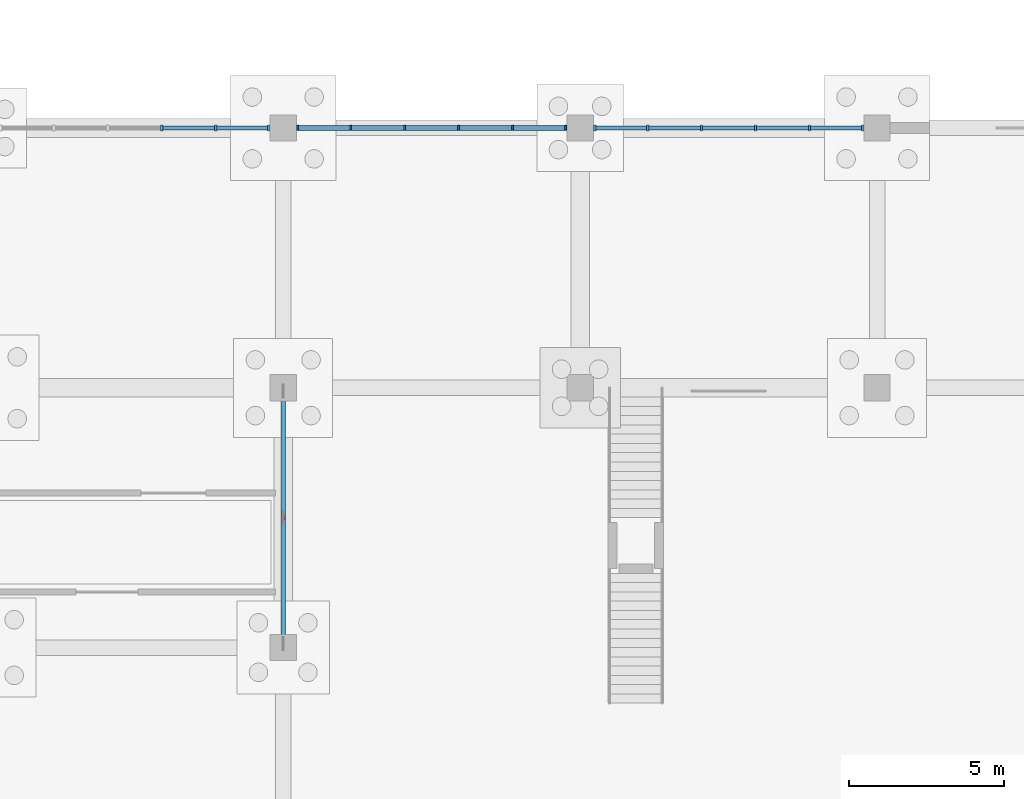
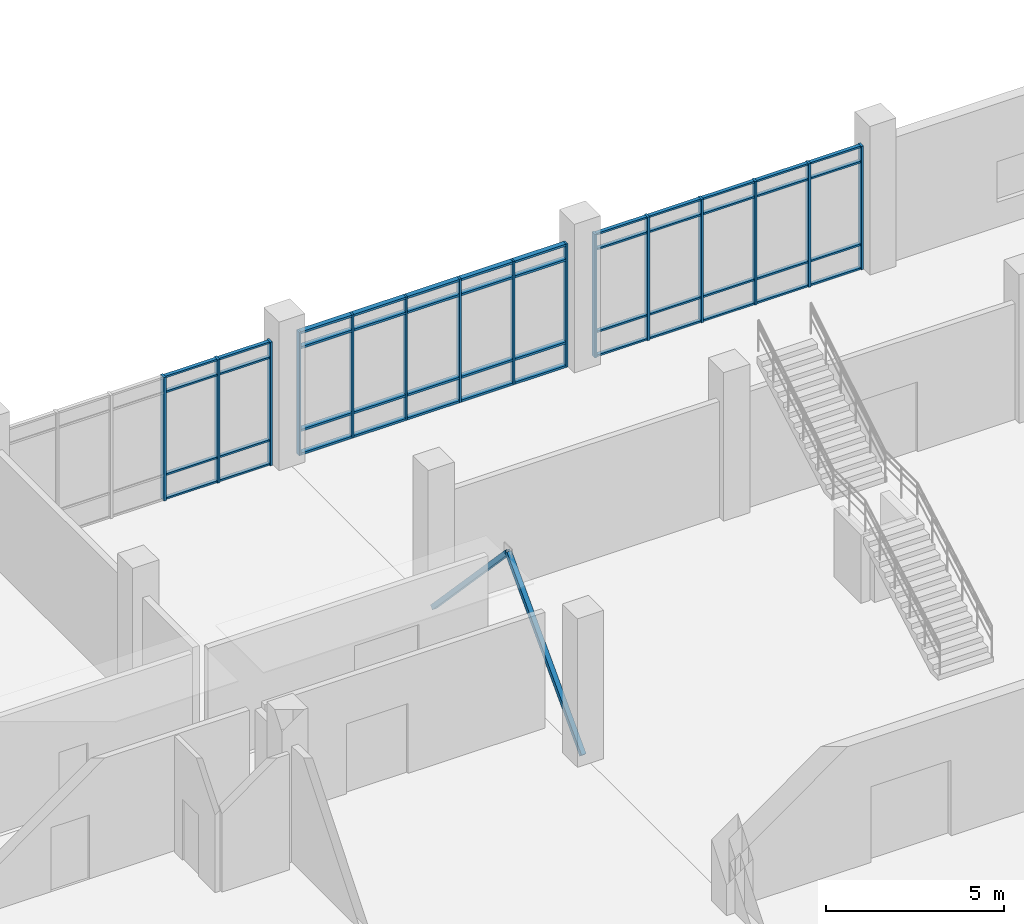
# One storey, part 33 of 136: 65 members, 3 elements without a shape of their own.
"""IFC4 building model written with IfcOpenShell, lengths in metres."""

import ifcopenshell
import ifcopenshell.guid

model = None  # the IFC model being written
_history = None  # IfcOwnerHistory: only IFC2X3 demands one
_inside = {}  # id of a spatial element -> (the spatial element, [elements in it])
_under = {}  # id of a project, library or spatial element -> (it, [spatial elements below it])
_declared = {}  # id of a project -> (the project, [libraries it declares])
_typed = {}  # id of a type object -> (the type object, [elements of that type])
_made_of = {}  # id of a material, layer set ... -> (it, [elements and type objects made of it])


def new_model(schema):
    """Start an empty IFC model of exactly this schema.

    Asked for "IFC4X3", IfcOpenShell would pick the latest addendum, in which some entities
    have other attributes; the version numbers below select the first issue.
    IFC2X3 requires an IfcOwnerHistory on every rooted entity: one is made here for all.
    """
    global model, _history
    if schema == "IFC4X3":
        model = ifcopenshell.file(schema_version=(4, 3, 0, 0))
    else:
        model = ifcopenshell.file(schema=schema)
    _inside.clear()
    _under.clear()
    _declared.clear()
    _typed.clear()
    _made_of.clear()
    _history = None
    if model.schema == "IFC2X3":
        org = make("IfcOrganization", Name="unknown")
        user = make(
            "IfcPersonAndOrganization",
            ThePerson=make("IfcPerson", FamilyName="unknown"),
            TheOrganization=org,
        )
        app = make(
            "IfcApplication",
            ApplicationDeveloper=org,
            Version="unknown",
            ApplicationFullName="unknown",
            ApplicationIdentifier="unknown",
        )
        _history = make(
            "IfcOwnerHistory",
            OwningUser=user,
            OwningApplication=app,
            ChangeAction="ADDED",
            CreationDate=0,
        )
    return model


def make(cls, **values):
    """One entity of the class cls with the attributes given. An attribute that is None is left unset."""
    return model.create_entity(
        cls, **{name: value for name, value in values.items() if value is not None}
    )


def rooted(cls, **values):
    """An entity with a GlobalId (a new one), such as an element, a storey or a relation."""
    return make(cls, GlobalId=ifcopenshell.guid.new(), OwnerHistory=_history, **values)


def si_unit(unit_type, name, prefix=None):
    """IfcSIUnit, for example si_unit("LENGTHUNIT", "METRE", prefix="MILLI")."""
    return make("IfcSIUnit", UnitType=unit_type, Prefix=prefix, Name=name)


def assignment(units):
    """IfcUnitAssignment: the units of a project."""
    return None if units is None else make("IfcUnitAssignment", Units=units)


def point(xyz):
    """IfcCartesianPoint."""
    return None if xyz is None else make("IfcCartesianPoint", Coordinates=xyz)


def direction(xyz):
    """IfcDirection."""
    return None if xyz is None else make("IfcDirection", DirectionRatios=xyz)


def frame(location, z_axis=None, x_axis=None):
    """IfcAxis2Placement3D, a coordinate frame: its origin and axes. An axis left out is left unset."""
    return make(
        "IfcAxis2Placement3D",
        Location=point(location),
        Axis=direction(z_axis),
        RefDirection=direction(x_axis),
    )


def frame_2d(location, x_axis=None):
    """IfcAxis2Placement2D, a coordinate frame in the plane: its origin and x axis."""
    return make(
        "IfcAxis2Placement2D", Location=point(location), RefDirection=direction(x_axis)
    )


def origin():
    """The frame at (0, 0, 0) with its axes left unset."""
    return frame((0.0, 0.0, 0.0))


def origin_2d():
    """The frame at (0, 0) in the plane with its x axis left unset."""
    return frame_2d((0.0, 0.0))


def place(relative_to, where):
    """IfcLocalPlacement: puts the frame where relative to a parent placement (None: the world)."""
    return make(
        "IfcLocalPlacement", PlacementRelTo=relative_to, RelativePlacement=where
    )


def context(
    kind, dimensions, precision=None, world=None, true_north=None, identifier=None
):
    """IfcGeometricRepresentationContext, for example the 3D "Model" context."""
    return make(
        "IfcGeometricRepresentationContext",
        ContextIdentifier=identifier,
        ContextType=kind,
        CoordinateSpaceDimension=dimensions,
        Precision=precision,
        WorldCoordinateSystem=world,
        TrueNorth=true_north,
    )


def subcontext(parent, identifier, kind, view, scale=None):
    """IfcGeometricRepresentationSubContext, for example "Body" below "Model"."""
    return make(
        "IfcGeometricRepresentationSubContext",
        ContextIdentifier=identifier,
        ContextType=kind,
        ParentContext=parent,
        TargetScale=scale,
        TargetView=view,
    )


def project(units=None, contexts=None):
    """IfcProject with its units and contexts."""
    return rooted(
        "IfcProject",
        Name="project",
        RepresentationContexts=contexts,
        UnitsInContext=assignment(units),
    )


def spatial(cls, under=None, at=None, **own):
    """A site, building, storey or space (cls), placed at a placement, below another one or the project."""
    s = rooted(cls, ObjectPlacement=at, **own)
    if under is not None:
        _under.setdefault(under.id(), (under, []))[1].append(s)
    return s


def profile(cls, at=None, kind="AREA", **sizes):
    """A parametric profile (cls). Its sizes go by their IFC names, for example OverallWidth=200.0."""
    return make(cls, ProfileType=kind, Position=at, **sizes)


def rectangle(**sizes):
    """IfcRectangleProfileDef."""
    return profile("IfcRectangleProfileDef", **sizes)


def hollow_rectangle(**sizes):
    """IfcRectangleHollowProfileDef."""
    return profile("IfcRectangleHollowProfileDef", **sizes)


def extrude(swept, where, along, depth):
    """IfcExtrudedAreaSolid: the profile swept, set in the frame where, extruded along a direction by depth."""
    return make(
        "IfcExtrudedAreaSolid",
        SweptArea=swept,
        Position=where,
        ExtrudedDirection=direction(along),
        Depth=depth,
    )


def shape(context_of_items, identifier, shape_type, items):
    """IfcShapeRepresentation: the items that make up one representation, for example the "Body"."""
    return make(
        "IfcShapeRepresentation",
        ContextOfItems=context_of_items,
        RepresentationIdentifier=identifier,
        RepresentationType=shape_type,
        Items=items,
    )


def material(Name=None, Category=None):
    """IfcMaterial."""
    return make("IfcMaterial", Name=Name, Category=Category)


def material_profile(
    of_material, cross_section, Name=None, Category=None, Priority=None
):
    """IfcMaterialProfile: a cross section and its material."""
    return make(
        "IfcMaterialProfile",
        Name=Name,
        Material=of_material,
        Profile=cross_section,
        Priority=Priority,
        Category=Category,
    )


def profile_set(profiles, Name=None, composite=None):
    """IfcMaterialProfileSet."""
    return make(
        "IfcMaterialProfileSet",
        Name=Name,
        MaterialProfiles=profiles,
        CompositeProfile=composite,
    )


def made_of(thing, what):
    """Note that an element or type object is made of a material, layer set ...; save() writes the relation."""
    if what is not None:
        _made_of.setdefault(what.id(), (what, []))[1].append(thing)
    return thing


def type_object(cls, material=None, **own):
    """A type object (cls), such as IfcWallType, which elements share."""
    return made_of(rooted(cls, **own), material)


def element(
    cls,
    number,
    at=None,
    inside=None,
    cuts=None,
    type_object=None,
    material=None,
    context=None,
    identifier="Body",
    shape_type=None,
    held_by="IfcProductDefinitionShape",
    body=None,
    shapes=None,
    **own,
):
    """One element of the class cls, such as IfcWall. Its Tag is "e" and its number.

    at: its placement. inside: the storey or other place that contains it. cuts: it is an
    opening in that element (IfcRelVoidsElement). A single representation is given by context,
    identifier, shape_type and body (its items); several are given by shapes. held_by: the class
    of the entity that holds the representations. save() writes the other relations.
    """
    e = rooted(cls, Tag="e%d" % number, ObjectPlacement=at, **own)
    if body is not None:
        shapes = [shape(context, identifier, shape_type, body)]
    if shapes is not None:
        e.Representation = make(held_by, Representations=shapes)
    if inside is not None:
        _inside.setdefault(inside.id(), (inside, []))[1].append(e)
    if cuts is not None:
        rooted(
            "IfcRelVoidsElement", RelatingBuildingElement=cuts, RelatedOpeningElement=e
        )
    if type_object is not None:
        _typed.setdefault(type_object.id(), (type_object, []))[1].append(e)
    return made_of(e, material)


def aggregate(whole, parts):
    """IfcRelAggregates: a whole, such as a stair, and the parts it consists of."""
    return rooted("IfcRelAggregates", RelatingObject=whole, RelatedObjects=parts)


def save(model, path):
    """Write the relations noted so far, then the file.

    IfcRelAggregates (storeys below a building ...), IfcRelContainedInSpatialStructure (elements
    in a storey), IfcRelDefinesByType, IfcRelAssociatesMaterial and IfcRelDeclares: one each for
    every whole, place, type object, material and project.
    """
    for whole, parts in _under.values():
        aggregate(whole, parts)
    for where, things in _inside.values():
        rooted(
            "IfcRelContainedInSpatialStructure",
            RelatedElements=things,
            RelatingStructure=where,
        )
    for kind, things in _typed.values():
        rooted("IfcRelDefinesByType", RelatedObjects=things, RelatingType=kind)
    for what, things in _made_of.values():
        rooted("IfcRelAssociatesMaterial", RelatedObjects=things, RelatingMaterial=what)
    for by, libraries in _declared.values():
        rooted("IfcRelDeclares", RelatingContext=by, RelatedDefinitions=libraries)
    model.write(path)


model = new_model("IFC4")

# Units and contexts
model_context = context("Model", 3, precision=1e-05, world=origin(), true_north=direction((0.0, 1.0)))
body_context = subcontext(model_context, "Body", "Model", "MODEL_VIEW")
ifc_project = project(units=[si_unit("LENGTHUNIT", "METRE"), si_unit("AREAUNIT", "SQUARE_METRE"), si_unit("VOLUMEUNIT", "CUBIC_METRE"), si_unit("PLANEANGLEUNIT", "RADIAN"), si_unit("MASSUNIT", "GRAM", prefix="KILO")], contexts=[model_context])

# Site, building, storey
site_placement = place(None, origin())
site = spatial("IfcSite", under=ifc_project, at=site_placement, CompositionType="ELEMENT")
building_placement = place(site_placement, origin())
building = spatial("IfcBuilding", under=site, at=building_placement, Name="Oolite Switchyard Hospital", CompositionType="ELEMENT")
storey_placement = place(building_placement, origin())
storey = spatial("IfcBuildingStorey", under=building, at=storey_placement, Name="L00", CompositionType="ELEMENT", Elevation=0.0)

# Curtain wall, members
ifc_material_1 = material(Name="Thermally broken aluminum frame with laminated impact glazing", Category="aluminium")
curtain_wall_type = type_object("IfcCurtainWallType", Name="CW-UNIT-96X51", PredefinedType="USERDEFINED", material=ifc_material_1)
curtain_wall_1_placement = place(storey_placement, origin())
curtain_wall_1 = element("IfcCurtainWall", 1, at=curtain_wall_1_placement, inside=storey, type_object=curtain_wall_type, Name="L00 Unitised Curtain Wall 15", ObjectType="UNITISED", PredefinedType="USERDEFINED")
ifc_material_2 = material(Name="Aluminium 6063-T6", Category="aluminium")
ifc_material_profile_1 = material_profile(ifc_material_2, rectangle(XDim=0.159912109375, YDim=0.06005859375, at=origin_2d()), Name="CWM60X160")
ifc_profile_set_1 = profile_set([ifc_material_profile_1], Name="Aluminium 6063-T6")
member_type_1 = type_object("IfcMemberType", Name="CW-MUL-180", PredefinedType="MULLION", material=ifc_profile_set_1)
member_1_placement = place(storey_placement, frame((67.669921875, 33.60009765625, 0.0), z_axis=(0.0, 0.0, 1.0), x_axis=(0.0, 1.0, 0.0)))
member_1 = element("IfcMember", 2, at=member_1_placement, type_object=member_type_1, Name="CW-01 mullion 1", PredefinedType="MULLION", context=body_context, shape_type="SweptSolid", body=[
    extrude(rectangle(XDim=0.159912109375, YDim=0.06005859375, at=origin_2d()), origin(), (0.0, 0.0, 1.0), 4.239990234375),
])
member_2_placement = place(storey_placement, frame((69.384033203125, 33.60009765625, 0.0), z_axis=(0.0, 0.0, 1.0), x_axis=(0.0, 1.0, 0.0)))
member_2 = element("IfcMember", 3, at=member_2_placement, type_object=member_type_1, Name="CW-01 mullion 2", PredefinedType="MULLION", context=body_context, shape_type="SweptSolid", body=[
    extrude(rectangle(XDim=0.159912109375, YDim=0.06005859375, at=origin_2d()), origin(), (0.0, 0.0, 1.0), 4.239990234375),
])
member_3_placement = place(storey_placement, frame((71.1279296875, 33.60009765625, 0.0), z_axis=(0.0, 0.0, 1.0), x_axis=(0.0, 1.0, 0.0)))
member_3 = element("IfcMember", 4, at=member_3_placement, type_object=member_type_1, Name="CW-01 mullion 3", PredefinedType="MULLION", context=body_context, shape_type="SweptSolid", body=[
    extrude(rectangle(XDim=0.159912109375, YDim=0.06005859375, at=origin_2d()), origin(), (0.0, 0.0, 1.0), 4.239990234375),
])
member_4_placement = place(storey_placement, frame((72.8720703125, 33.60009765625, 0.0), z_axis=(0.0, 0.0, 1.0), x_axis=(0.0, 1.0, 0.0)))
member_4 = element("IfcMember", 5, at=member_4_placement, type_object=member_type_1, Name="CW-01 mullion 4", PredefinedType="MULLION", context=body_context, shape_type="SweptSolid", body=[
    extrude(rectangle(XDim=0.159912109375, YDim=0.06005859375, at=origin_2d()), origin(), (0.0, 0.0, 1.0), 4.239990234375),
])
member_5_placement = place(storey_placement, frame((74.615966796875, 33.60009765625, 0.0), z_axis=(0.0, 0.0, 1.0), x_axis=(0.0, 1.0, 0.0)))
member_5 = element("IfcMember", 6, at=member_5_placement, type_object=member_type_1, Name="CW-01 mullion 5", PredefinedType="MULLION", context=body_context, shape_type="SweptSolid", body=[
    extrude(rectangle(XDim=0.159912109375, YDim=0.06005859375, at=origin_2d()), origin(), (0.0, 0.0, 1.0), 4.239990234375),
])
member_6_placement = place(storey_placement, frame((76.330078125, 33.60009765625, 0.0), z_axis=(0.0, 0.0, 1.0), x_axis=(0.0, 1.0, 0.0)))
member_6 = element("IfcMember", 7, at=member_6_placement, type_object=member_type_1, Name="CW-01 mullion 6", PredefinedType="MULLION", context=body_context, shape_type="SweptSolid", body=[
    extrude(rectangle(XDim=0.159912109375, YDim=0.06005859375, at=origin_2d()), origin(), (0.0, 0.0, 1.0), 4.239990234375),
])

curtain_wall_2_placement = place(storey_placement, origin())
curtain_wall_2 = element("IfcCurtainWall", 8, at=curtain_wall_2_placement, inside=storey, type_object=curtain_wall_type, Name="L00 Unitised Curtain Wall 16", ObjectType="UNITISED", PredefinedType="USERDEFINED")
ifc_material_profile_2 = material_profile(ifc_material_2, rectangle(XDim=0.179931640625, YDim=0.070068359375, at=origin_2d()), Name="CWM70X180")
ifc_profile_set_2 = profile_set([ifc_material_profile_2], Name="Aluminium 6063-T6")
member_type_2 = type_object("IfcMemberType", Name="CW-MUL-220", PredefinedType="MULLION", material=ifc_profile_set_2)
member_7_placement = place(storey_placement, frame((77.27490234375, 33.60009765625, 0.0), z_axis=(0.0, 0.0, 1.0), x_axis=(0.0, 1.0, 0.0)))
member_7 = element("IfcMember", 9, at=member_7_placement, type_object=member_type_2, Name="CW-01 mullion 1", PredefinedType="MULLION", context=body_context, shape_type="SweptSolid", body=[
    extrude(rectangle(XDim=0.179931640625, YDim=0.070068359375, at=origin_2d()), origin(), (0.0, 0.0, 1.0), 4.239990234375),
])
member_8_placement = place(storey_placement, frame((78.98388671875, 33.60009765625, 0.0), z_axis=(0.0, 0.0, 1.0), x_axis=(0.0, 1.0, 0.0)))
member_8 = element("IfcMember", 10, at=member_8_placement, type_object=member_type_2, Name="CW-01 mullion 2", PredefinedType="MULLION", context=body_context, shape_type="SweptSolid", body=[
    extrude(rectangle(XDim=0.179931640625, YDim=0.070068359375, at=origin_2d()), origin(), (0.0, 0.0, 1.0), 4.239990234375),
])
member_9_placement = place(storey_placement, frame((80.72802734375, 33.60009765625, 0.0), z_axis=(0.0, 0.0, 1.0), x_axis=(0.0, 1.0, 0.0)))
member_9 = element("IfcMember", 11, at=member_9_placement, type_object=member_type_2, Name="CW-01 mullion 3", PredefinedType="MULLION", context=body_context, shape_type="SweptSolid", body=[
    extrude(rectangle(XDim=0.179931640625, YDim=0.070068359375, at=origin_2d()), origin(), (0.0, 0.0, 1.0), 4.239990234375),
])
member_10_placement = place(storey_placement, frame((82.471923828125, 33.60009765625, 0.0), z_axis=(0.0, 0.0, 1.0), x_axis=(0.0, 1.0, 0.0)))
member_10 = element("IfcMember", 12, at=member_10_placement, type_object=member_type_2, Name="CW-01 mullion 4", PredefinedType="MULLION", context=body_context, shape_type="SweptSolid", body=[
    extrude(rectangle(XDim=0.179931640625, YDim=0.070068359375, at=origin_2d()), origin(), (0.0, 0.0, 1.0), 4.239990234375),
])
member_11_placement = place(storey_placement, frame((84.216064453125, 33.60009765625, 0.0), z_axis=(0.0, 0.0, 1.0), x_axis=(0.0, 1.0, 0.0)))
member_11 = element("IfcMember", 13, at=member_11_placement, type_object=member_type_2, Name="CW-01 mullion 5", PredefinedType="MULLION", context=body_context, shape_type="SweptSolid", body=[
    extrude(rectangle(XDim=0.179931640625, YDim=0.070068359375, at=origin_2d()), origin(), (0.0, 0.0, 1.0), 4.239990234375),
])
member_12_placement = place(storey_placement, frame((85.925048828125, 33.60009765625, 0.0), z_axis=(0.0, 0.0, 1.0), x_axis=(0.0, 1.0, 0.0)))
member_12 = element("IfcMember", 14, at=member_12_placement, type_object=member_type_2, Name="CW-01 mullion 6", PredefinedType="MULLION", context=body_context, shape_type="SweptSolid", body=[
    extrude(rectangle(XDim=0.179931640625, YDim=0.070068359375, at=origin_2d()), origin(), (0.0, 0.0, 1.0), 4.239990234375),
])

curtain_wall_3_placement = place(storey_placement, origin())
curtain_wall_3 = element("IfcCurtainWall", 15, at=curtain_wall_3_placement, inside=storey, type_object=curtain_wall_type, Name="L00 Unitised Curtain Wall 14", ObjectType="UNITISED", PredefinedType="USERDEFINED")
ifc_material_profile_3 = material_profile(ifc_material_2, rectangle(XDim=0.199951171875, YDim=0.074951171875, at=origin_2d()), Name="CWM75X200")
ifc_profile_set_3 = profile_set([ifc_material_profile_3], Name="Aluminium 6063-T6")
member_type_3 = type_object("IfcMemberType", Name="CW-MUL-260", PredefinedType="MULLION", material=ifc_profile_set_3)
member_13_placement = place(storey_placement, frame((63.27197265625, 33.60009765625, 0.0), z_axis=(0.0, 0.0, 1.0), x_axis=(0.0, 1.0, 0.0)))
member_13 = element("IfcMember", 16, at=member_13_placement, type_object=member_type_3, Name="CW-01 mullion 4", PredefinedType="MULLION", context=body_context, shape_type="SweptSolid", body=[
    extrude(rectangle(XDim=0.199951171875, YDim=0.074951171875, at=origin_2d()), origin(), (0.0, 0.0, 1.0), 4.239990234375),
])
member_14_placement = place(storey_placement, frame((65.01611328125, 33.60009765625, 0.0), z_axis=(0.0, 0.0, 1.0), x_axis=(0.0, 1.0, 0.0)))
member_14 = element("IfcMember", 17, at=member_14_placement, type_object=member_type_3, Name="CW-01 mullion 5", PredefinedType="MULLION", context=body_context, shape_type="SweptSolid", body=[
    extrude(rectangle(XDim=0.199951171875, YDim=0.074951171875, at=origin_2d()), origin(), (0.0, 0.0, 1.0), 4.239990234375),
])
member_15_placement = place(storey_placement, frame((66.722412109375, 33.60009765625, 0.0), z_axis=(0.0, 0.0, 1.0), x_axis=(0.0, 1.0, 0.0)))
member_15 = element("IfcMember", 18, at=member_15_placement, type_object=member_type_3, Name="CW-01 mullion 6", PredefinedType="MULLION", context=body_context, shape_type="SweptSolid", body=[
    extrude(rectangle(XDim=0.199951171875, YDim=0.074951171875, at=origin_2d()), origin(), (0.0, 0.0, 1.0), 4.239990234375),
])
ifc_material_profile_4 = material_profile(ifc_material_2, rectangle(XDim=0.1201171875, YDim=0.06005859375, at=origin_2d()), Name="CWT60X120")
ifc_profile_set_4 = profile_set([ifc_material_profile_4], Name="Aluminium 6063-T6")
member_type_4 = type_object("IfcMemberType", Name="CW-TRN-150", PredefinedType="USERDEFINED", material=ifc_profile_set_4)
member_16_placement = place(storey_placement, frame((63.3095703125, 33.60009765625, 0.030029296875), z_axis=(1.0, 0.0, 0.0), x_axis=(0.0, 1.0, 0.0)))
member_16 = element("IfcMember", 19, at=member_16_placement, type_object=member_type_4, Name="CW-01 transom 4.1", ObjectType="TRANSOM", PredefinedType="USERDEFINED", context=body_context, shape_type="SweptSolid", body=[
    extrude(rectangle(XDim=0.1201171875, YDim=0.06005859375, at=origin_2d()), origin(), (0.0, 0.0, 1.0), 1.6689453125),
])
member_17_placement = place(storey_placement, frame((63.3095703125, 33.60009765625, 0.85009765625), z_axis=(1.0, 0.0, 0.0), x_axis=(0.0, 1.0, 0.0)))
member_17 = element("IfcMember", 20, at=member_17_placement, type_object=member_type_4, Name="CW-01 transom 4.2", ObjectType="TRANSOM", PredefinedType="USERDEFINED", context=body_context, shape_type="SweptSolid", body=[
    extrude(rectangle(XDim=0.1201171875, YDim=0.06005859375, at=origin_2d()), origin(), (0.0, 0.0, 1.0), 1.6689453125),
])
member_18_placement = place(storey_placement, frame((63.3095703125, 33.60009765625, 3.68994140625), z_axis=(1.0, 0.0, 0.0), x_axis=(0.0, 1.0, 0.0)))
member_18 = element("IfcMember", 21, at=member_18_placement, type_object=member_type_4, Name="CW-01 transom 4.3", ObjectType="TRANSOM", PredefinedType="USERDEFINED", context=body_context, shape_type="SweptSolid", body=[
    extrude(rectangle(XDim=0.1201171875, YDim=0.06005859375, at=origin_2d()), origin(), (0.0, 0.0, 1.0), 1.6689453125),
])
member_19_placement = place(storey_placement, frame((63.3095703125, 33.60009765625, 4.2099609375), z_axis=(1.0, 0.0, 0.0), x_axis=(0.0, 1.0, 0.0)))
member_19 = element("IfcMember", 22, at=member_19_placement, type_object=member_type_4, Name="CW-01 transom 4.4", ObjectType="TRANSOM", PredefinedType="USERDEFINED", context=body_context, shape_type="SweptSolid", body=[
    extrude(rectangle(XDim=0.1201171875, YDim=0.06005859375, at=origin_2d()), origin(), (0.0, 0.0, 1.0), 1.6689453125),
])
member_20_placement = place(storey_placement, frame((65.053466796875, 33.60009765625, 0.030029296875), z_axis=(1.0, 0.0, 0.0), x_axis=(0.0, 1.0, 0.0)))
member_20 = element("IfcMember", 23, at=member_20_placement, type_object=member_type_4, Name="CW-01 transom 5.1", ObjectType="TRANSOM", PredefinedType="USERDEFINED", context=body_context, shape_type="SweptSolid", body=[
    extrude(rectangle(XDim=0.1201171875, YDim=0.06005859375, at=origin_2d()), origin(), (0.0, 0.0, 1.0), 1.631591796875),
])
member_21_placement = place(storey_placement, frame((65.053466796875, 33.60009765625, 0.85009765625), z_axis=(1.0, 0.0, 0.0), x_axis=(0.0, 1.0, 0.0)))
member_21 = element("IfcMember", 24, at=member_21_placement, type_object=member_type_4, Name="CW-01 transom 5.2", ObjectType="TRANSOM", PredefinedType="USERDEFINED", context=body_context, shape_type="SweptSolid", body=[
    extrude(rectangle(XDim=0.1201171875, YDim=0.06005859375, at=origin_2d()), origin(), (0.0, 0.0, 1.0), 1.631591796875),
])
member_22_placement = place(storey_placement, frame((65.053466796875, 33.60009765625, 3.68994140625), z_axis=(1.0, 0.0, 0.0), x_axis=(0.0, 1.0, 0.0)))
member_22 = element("IfcMember", 25, at=member_22_placement, type_object=member_type_4, Name="CW-01 transom 5.3", ObjectType="TRANSOM", PredefinedType="USERDEFINED", context=body_context, shape_type="SweptSolid", body=[
    extrude(rectangle(XDim=0.1201171875, YDim=0.06005859375, at=origin_2d()), origin(), (0.0, 0.0, 1.0), 1.631591796875),
])
member_23_placement = place(storey_placement, frame((65.053466796875, 33.60009765625, 4.2099609375), z_axis=(1.0, 0.0, 0.0), x_axis=(0.0, 1.0, 0.0)))
member_23 = element("IfcMember", 26, at=member_23_placement, type_object=member_type_4, Name="CW-01 transom 5.4", ObjectType="TRANSOM", PredefinedType="USERDEFINED", context=body_context, shape_type="SweptSolid", body=[
    extrude(rectangle(XDim=0.1201171875, YDim=0.06005859375, at=origin_2d()), origin(), (0.0, 0.0, 1.0), 1.631591796875),
])
aggregate(curtain_wall_3, [member_13, member_14, member_15, member_16, member_17, member_18, member_19, member_20, member_21, member_22, member_23])

# Member
member_24_placement = place(storey_placement, frame((77.31005859375, 33.60009765625, 0.030029296875), z_axis=(1.0, 0.0, 0.0), x_axis=(0.0, 1.0, 0.0)))
member_24 = element("IfcMember", 27, at=member_24_placement, type_object=member_type_4, Name="CW-01 transom 1.1", ObjectType="TRANSOM", PredefinedType="USERDEFINED", context=body_context, shape_type="SweptSolid", body=[
    extrude(rectangle(XDim=0.1201171875, YDim=0.06005859375, at=origin_2d()), origin(), (0.0, 0.0, 1.0), 1.638916015625),
])

member_25_placement = place(storey_placement, frame((77.31005859375, 33.60009765625, 0.85009765625), z_axis=(1.0, 0.0, 0.0), x_axis=(0.0, 1.0, 0.0)))
member_25 = element("IfcMember", 28, at=member_25_placement, type_object=member_type_4, Name="CW-01 transom 1.2", ObjectType="TRANSOM", PredefinedType="USERDEFINED", context=body_context, shape_type="SweptSolid", body=[
    extrude(rectangle(XDim=0.1201171875, YDim=0.06005859375, at=origin_2d()), origin(), (0.0, 0.0, 1.0), 1.638916015625),
])

member_26_placement = place(storey_placement, frame((77.31005859375, 33.60009765625, 3.68994140625), z_axis=(1.0, 0.0, 0.0), x_axis=(0.0, 1.0, 0.0)))
member_26 = element("IfcMember", 29, at=member_26_placement, type_object=member_type_4, Name="CW-01 transom 1.3", ObjectType="TRANSOM", PredefinedType="USERDEFINED", context=body_context, shape_type="SweptSolid", body=[
    extrude(rectangle(XDim=0.1201171875, YDim=0.06005859375, at=origin_2d()), origin(), (0.0, 0.0, 1.0), 1.638916015625),
])

member_27_placement = place(storey_placement, frame((77.31005859375, 33.60009765625, 4.2099609375), z_axis=(1.0, 0.0, 0.0), x_axis=(0.0, 1.0, 0.0)))
member_27 = element("IfcMember", 30, at=member_27_placement, type_object=member_type_4, Name="CW-01 transom 1.4", ObjectType="TRANSOM", PredefinedType="USERDEFINED", context=body_context, shape_type="SweptSolid", body=[
    extrude(rectangle(XDim=0.1201171875, YDim=0.06005859375, at=origin_2d()), origin(), (0.0, 0.0, 1.0), 1.638916015625),
])

member_28_placement = place(storey_placement, frame((79.01904296875, 33.60009765625, 0.030029296875), z_axis=(1.0, 0.0, 0.0), x_axis=(0.0, 1.0, 0.0)))
member_28 = element("IfcMember", 31, at=member_28_placement, type_object=member_type_4, Name="CW-01 transom 2.1", ObjectType="TRANSOM", PredefinedType="USERDEFINED", context=body_context, shape_type="SweptSolid", body=[
    extrude(rectangle(XDim=0.1201171875, YDim=0.06005859375, at=origin_2d()), origin(), (0.0, 0.0, 1.0), 1.674072265625),
])

member_29_placement = place(storey_placement, frame((79.01904296875, 33.60009765625, 0.85009765625), z_axis=(1.0, 0.0, 0.0), x_axis=(0.0, 1.0, 0.0)))
member_29 = element("IfcMember", 32, at=member_29_placement, type_object=member_type_4, Name="CW-01 transom 2.2", ObjectType="TRANSOM", PredefinedType="USERDEFINED", context=body_context, shape_type="SweptSolid", body=[
    extrude(rectangle(XDim=0.1201171875, YDim=0.06005859375, at=origin_2d()), origin(), (0.0, 0.0, 1.0), 1.674072265625),
])

member_30_placement = place(storey_placement, frame((79.01904296875, 33.60009765625, 3.68994140625), z_axis=(1.0, 0.0, 0.0), x_axis=(0.0, 1.0, 0.0)))
member_30 = element("IfcMember", 33, at=member_30_placement, type_object=member_type_4, Name="CW-01 transom 2.3", ObjectType="TRANSOM", PredefinedType="USERDEFINED", context=body_context, shape_type="SweptSolid", body=[
    extrude(rectangle(XDim=0.1201171875, YDim=0.06005859375, at=origin_2d()), origin(), (0.0, 0.0, 1.0), 1.674072265625),
])

member_31_placement = place(storey_placement, frame((79.01904296875, 33.60009765625, 4.2099609375), z_axis=(1.0, 0.0, 0.0), x_axis=(0.0, 1.0, 0.0)))
member_31 = element("IfcMember", 34, at=member_31_placement, type_object=member_type_4, Name="CW-01 transom 2.4", ObjectType="TRANSOM", PredefinedType="USERDEFINED", context=body_context, shape_type="SweptSolid", body=[
    extrude(rectangle(XDim=0.1201171875, YDim=0.06005859375, at=origin_2d()), origin(), (0.0, 0.0, 1.0), 1.674072265625),
])

member_32_placement = place(storey_placement, frame((80.762939453125, 33.60009765625, 0.030029296875), z_axis=(1.0, 0.0, 0.0), x_axis=(0.0, 1.0, 0.0)))
member_32 = element("IfcMember", 35, at=member_32_placement, type_object=member_type_4, Name="CW-01 transom 3.1", ObjectType="TRANSOM", PredefinedType="USERDEFINED", context=body_context, shape_type="SweptSolid", body=[
    extrude(rectangle(XDim=0.1201171875, YDim=0.06005859375, at=origin_2d()), origin(), (0.0, 0.0, 1.0), 1.674072265625),
])

member_33_placement = place(storey_placement, frame((80.762939453125, 33.60009765625, 0.85009765625), z_axis=(1.0, 0.0, 0.0), x_axis=(0.0, 1.0, 0.0)))
member_33 = element("IfcMember", 36, at=member_33_placement, type_object=member_type_4, Name="CW-01 transom 3.2", ObjectType="TRANSOM", PredefinedType="USERDEFINED", context=body_context, shape_type="SweptSolid", body=[
    extrude(rectangle(XDim=0.1201171875, YDim=0.06005859375, at=origin_2d()), origin(), (0.0, 0.0, 1.0), 1.674072265625),
])

member_34_placement = place(storey_placement, frame((80.762939453125, 33.60009765625, 3.68994140625), z_axis=(1.0, 0.0, 0.0), x_axis=(0.0, 1.0, 0.0)))
member_34 = element("IfcMember", 37, at=member_34_placement, type_object=member_type_4, Name="CW-01 transom 3.3", ObjectType="TRANSOM", PredefinedType="USERDEFINED", context=body_context, shape_type="SweptSolid", body=[
    extrude(rectangle(XDim=0.1201171875, YDim=0.06005859375, at=origin_2d()), origin(), (0.0, 0.0, 1.0), 1.674072265625),
])

member_35_placement = place(storey_placement, frame((80.762939453125, 33.60009765625, 4.2099609375), z_axis=(1.0, 0.0, 0.0), x_axis=(0.0, 1.0, 0.0)))
member_35 = element("IfcMember", 38, at=member_35_placement, type_object=member_type_4, Name="CW-01 transom 3.4", ObjectType="TRANSOM", PredefinedType="USERDEFINED", context=body_context, shape_type="SweptSolid", body=[
    extrude(rectangle(XDim=0.1201171875, YDim=0.06005859375, at=origin_2d()), origin(), (0.0, 0.0, 1.0), 1.674072265625),
])

member_36_placement = place(storey_placement, frame((82.507080078125, 33.60009765625, 0.030029296875), z_axis=(1.0, 0.0, 0.0), x_axis=(0.0, 1.0, 0.0)))
member_36 = element("IfcMember", 39, at=member_36_placement, type_object=member_type_4, Name="CW-01 transom 4.1", ObjectType="TRANSOM", PredefinedType="USERDEFINED", context=body_context, shape_type="SweptSolid", body=[
    extrude(rectangle(XDim=0.1201171875, YDim=0.06005859375, at=origin_2d()), origin(), (0.0, 0.0, 1.0), 1.673828125),
])

member_37_placement = place(storey_placement, frame((82.507080078125, 33.60009765625, 0.85009765625), z_axis=(1.0, 0.0, 0.0), x_axis=(0.0, 1.0, 0.0)))
member_37 = element("IfcMember", 40, at=member_37_placement, type_object=member_type_4, Name="CW-01 transom 4.2", ObjectType="TRANSOM", PredefinedType="USERDEFINED", context=body_context, shape_type="SweptSolid", body=[
    extrude(rectangle(XDim=0.1201171875, YDim=0.06005859375, at=origin_2d()), origin(), (0.0, 0.0, 1.0), 1.673828125),
])

member_38_placement = place(storey_placement, frame((82.507080078125, 33.60009765625, 3.68994140625), z_axis=(1.0, 0.0, 0.0), x_axis=(0.0, 1.0, 0.0)))
member_38 = element("IfcMember", 41, at=member_38_placement, type_object=member_type_4, Name="CW-01 transom 4.3", ObjectType="TRANSOM", PredefinedType="USERDEFINED", context=body_context, shape_type="SweptSolid", body=[
    extrude(rectangle(XDim=0.1201171875, YDim=0.06005859375, at=origin_2d()), origin(), (0.0, 0.0, 1.0), 1.673828125),
])

member_39_placement = place(storey_placement, frame((82.507080078125, 33.60009765625, 4.2099609375), z_axis=(1.0, 0.0, 0.0), x_axis=(0.0, 1.0, 0.0)))
member_39 = element("IfcMember", 42, at=member_39_placement, type_object=member_type_4, Name="CW-01 transom 4.4", ObjectType="TRANSOM", PredefinedType="USERDEFINED", context=body_context, shape_type="SweptSolid", body=[
    extrude(rectangle(XDim=0.1201171875, YDim=0.06005859375, at=origin_2d()), origin(), (0.0, 0.0, 1.0), 1.673828125),
])

member_40_placement = place(storey_placement, frame((84.2509765625, 33.60009765625, 0.030029296875), z_axis=(1.0, 0.0, 0.0), x_axis=(0.0, 1.0, 0.0)))
member_40 = element("IfcMember", 43, at=member_40_placement, type_object=member_type_4, Name="CW-01 transom 5.1", ObjectType="TRANSOM", PredefinedType="USERDEFINED", context=body_context, shape_type="SweptSolid", body=[
    extrude(rectangle(XDim=0.1201171875, YDim=0.06005859375, at=origin_2d()), origin(), (0.0, 0.0, 1.0), 1.638916015625),
])

member_41_placement = place(storey_placement, frame((84.2509765625, 33.60009765625, 0.85009765625), z_axis=(1.0, 0.0, 0.0), x_axis=(0.0, 1.0, 0.0)))
member_41 = element("IfcMember", 44, at=member_41_placement, type_object=member_type_4, Name="CW-01 transom 5.2", ObjectType="TRANSOM", PredefinedType="USERDEFINED", context=body_context, shape_type="SweptSolid", body=[
    extrude(rectangle(XDim=0.1201171875, YDim=0.06005859375, at=origin_2d()), origin(), (0.0, 0.0, 1.0), 1.638916015625),
])

member_42_placement = place(storey_placement, frame((84.2509765625, 33.60009765625, 3.68994140625), z_axis=(1.0, 0.0, 0.0), x_axis=(0.0, 1.0, 0.0)))
member_42 = element("IfcMember", 45, at=member_42_placement, type_object=member_type_4, Name="CW-01 transom 5.3", ObjectType="TRANSOM", PredefinedType="USERDEFINED", context=body_context, shape_type="SweptSolid", body=[
    extrude(rectangle(XDim=0.1201171875, YDim=0.06005859375, at=origin_2d()), origin(), (0.0, 0.0, 1.0), 1.638916015625),
])

member_43_placement = place(storey_placement, frame((84.2509765625, 33.60009765625, 4.2099609375), z_axis=(1.0, 0.0, 0.0), x_axis=(0.0, 1.0, 0.0)))
member_43 = element("IfcMember", 46, at=member_43_placement, type_object=member_type_4, Name="CW-01 transom 5.4", ObjectType="TRANSOM", PredefinedType="USERDEFINED", context=body_context, shape_type="SweptSolid", body=[
    extrude(rectangle(XDim=0.1201171875, YDim=0.06005859375, at=origin_2d()), origin(), (0.0, 0.0, 1.0), 1.638916015625),
])

aggregate(curtain_wall_2, [member_7, member_8, member_9, member_10, member_11, member_12, member_24, member_25, member_26, member_27, member_28, member_29, member_30, member_31, member_32, member_33, member_34, member_35, member_36, member_37, member_38, member_39, member_40, member_41, member_42, member_43])

ifc_material_profile_5 = material_profile(ifc_material_2, rectangle(XDim=0.159912109375, YDim=0.074951171875, at=origin_2d()), Name="CWT75X160")
ifc_profile_set_5 = profile_set([ifc_material_profile_5], Name="Aluminium 6063-T6")
member_type_5 = type_object("IfcMemberType", Name="CW-TRN-180", PredefinedType="USERDEFINED", material=ifc_profile_set_5)
member_44_placement = place(storey_placement, frame((67.699951171875, 33.60009765625, 0.03759765625), z_axis=(1.0, 0.0, 0.0), x_axis=(0.0, 1.0, 0.0)))
member_44 = element("IfcMember", 47, at=member_44_placement, type_object=member_type_5, Name="CW-01 transom 1.1", ObjectType="TRANSOM", PredefinedType="USERDEFINED", context=body_context, shape_type="SweptSolid", body=[
    extrude(rectangle(XDim=0.159912109375, YDim=0.074951171875, at=origin_2d()), origin(), (0.0, 0.0, 1.0), 1.654052734375),
])

member_45_placement = place(storey_placement, frame((67.699951171875, 33.60009765625, 0.85009765625), z_axis=(1.0, 0.0, 0.0), x_axis=(0.0, 1.0, 0.0)))
member_45 = element("IfcMember", 48, at=member_45_placement, type_object=member_type_5, Name="CW-01 transom 1.2", ObjectType="TRANSOM", PredefinedType="USERDEFINED", context=body_context, shape_type="SweptSolid", body=[
    extrude(rectangle(XDim=0.159912109375, YDim=0.074951171875, at=origin_2d()), origin(), (0.0, 0.0, 1.0), 1.654052734375),
])

member_46_placement = place(storey_placement, frame((67.699951171875, 33.60009765625, 3.68994140625), z_axis=(1.0, 0.0, 0.0), x_axis=(0.0, 1.0, 0.0)))
member_46 = element("IfcMember", 49, at=member_46_placement, type_object=member_type_5, Name="CW-01 transom 1.3", ObjectType="TRANSOM", PredefinedType="USERDEFINED", context=body_context, shape_type="SweptSolid", body=[
    extrude(rectangle(XDim=0.159912109375, YDim=0.074951171875, at=origin_2d()), origin(), (0.0, 0.0, 1.0), 1.654052734375),
])

member_47_placement = place(storey_placement, frame((67.699951171875, 33.60009765625, 4.202392578125), z_axis=(1.0, 0.0, 0.0), x_axis=(0.0, 1.0, 0.0)))
member_47 = element("IfcMember", 50, at=member_47_placement, type_object=member_type_5, Name="CW-01 transom 1.4", ObjectType="TRANSOM", PredefinedType="USERDEFINED", context=body_context, shape_type="SweptSolid", body=[
    extrude(rectangle(XDim=0.159912109375, YDim=0.074951171875, at=origin_2d()), origin(), (0.0, 0.0, 1.0), 1.654052734375),
])

member_48_placement = place(storey_placement, frame((69.4140625, 33.60009765625, 0.03759765625), z_axis=(1.0, 0.0, 0.0), x_axis=(0.0, 1.0, 0.0)))
member_48 = element("IfcMember", 51, at=member_48_placement, type_object=member_type_5, Name="CW-01 transom 2.1", ObjectType="TRANSOM", PredefinedType="USERDEFINED", context=body_context, shape_type="SweptSolid", body=[
    extrude(rectangle(XDim=0.159912109375, YDim=0.074951171875, at=origin_2d()), origin(), (0.0, 0.0, 1.0), 1.683837890625),
])

member_49_placement = place(storey_placement, frame((69.4140625, 33.60009765625, 0.85009765625), z_axis=(1.0, 0.0, 0.0), x_axis=(0.0, 1.0, 0.0)))
member_49 = element("IfcMember", 52, at=member_49_placement, type_object=member_type_5, Name="CW-01 transom 2.2", ObjectType="TRANSOM", PredefinedType="USERDEFINED", context=body_context, shape_type="SweptSolid", body=[
    extrude(rectangle(XDim=0.159912109375, YDim=0.074951171875, at=origin_2d()), origin(), (0.0, 0.0, 1.0), 1.683837890625),
])

member_50_placement = place(storey_placement, frame((69.4140625, 33.60009765625, 3.68994140625), z_axis=(1.0, 0.0, 0.0), x_axis=(0.0, 1.0, 0.0)))
member_50 = element("IfcMember", 53, at=member_50_placement, type_object=member_type_5, Name="CW-01 transom 2.3", ObjectType="TRANSOM", PredefinedType="USERDEFINED", context=body_context, shape_type="SweptSolid", body=[
    extrude(rectangle(XDim=0.159912109375, YDim=0.074951171875, at=origin_2d()), origin(), (0.0, 0.0, 1.0), 1.683837890625),
])

member_51_placement = place(storey_placement, frame((69.4140625, 33.60009765625, 4.202392578125), z_axis=(1.0, 0.0, 0.0), x_axis=(0.0, 1.0, 0.0)))
member_51 = element("IfcMember", 54, at=member_51_placement, type_object=member_type_5, Name="CW-01 transom 2.4", ObjectType="TRANSOM", PredefinedType="USERDEFINED", context=body_context, shape_type="SweptSolid", body=[
    extrude(rectangle(XDim=0.159912109375, YDim=0.074951171875, at=origin_2d()), origin(), (0.0, 0.0, 1.0), 1.683837890625),
])

member_52_placement = place(storey_placement, frame((71.157958984375, 33.60009765625, 0.03759765625), z_axis=(1.0, 0.0, 0.0), x_axis=(0.0, 1.0, 0.0)))
member_52 = element("IfcMember", 55, at=member_52_placement, type_object=member_type_5, Name="CW-01 transom 3.1", ObjectType="TRANSOM", PredefinedType="USERDEFINED", context=body_context, shape_type="SweptSolid", body=[
    extrude(rectangle(XDim=0.159912109375, YDim=0.074951171875, at=origin_2d()), origin(), (0.0, 0.0, 1.0), 1.68408203125),
])

member_53_placement = place(storey_placement, frame((71.157958984375, 33.60009765625, 0.85009765625), z_axis=(1.0, 0.0, 0.0), x_axis=(0.0, 1.0, 0.0)))
member_53 = element("IfcMember", 56, at=member_53_placement, type_object=member_type_5, Name="CW-01 transom 3.2", ObjectType="TRANSOM", PredefinedType="USERDEFINED", context=body_context, shape_type="SweptSolid", body=[
    extrude(rectangle(XDim=0.159912109375, YDim=0.074951171875, at=origin_2d()), origin(), (0.0, 0.0, 1.0), 1.68408203125),
])

member_54_placement = place(storey_placement, frame((71.157958984375, 33.60009765625, 3.68994140625), z_axis=(1.0, 0.0, 0.0), x_axis=(0.0, 1.0, 0.0)))
member_54 = element("IfcMember", 57, at=member_54_placement, type_object=member_type_5, Name="CW-01 transom 3.3", ObjectType="TRANSOM", PredefinedType="USERDEFINED", context=body_context, shape_type="SweptSolid", body=[
    extrude(rectangle(XDim=0.159912109375, YDim=0.074951171875, at=origin_2d()), origin(), (0.0, 0.0, 1.0), 1.68408203125),
])

member_55_placement = place(storey_placement, frame((71.157958984375, 33.60009765625, 4.202392578125), z_axis=(1.0, 0.0, 0.0), x_axis=(0.0, 1.0, 0.0)))
member_55 = element("IfcMember", 58, at=member_55_placement, type_object=member_type_5, Name="CW-01 transom 3.4", ObjectType="TRANSOM", PredefinedType="USERDEFINED", context=body_context, shape_type="SweptSolid", body=[
    extrude(rectangle(XDim=0.159912109375, YDim=0.074951171875, at=origin_2d()), origin(), (0.0, 0.0, 1.0), 1.68408203125),
])

member_56_placement = place(storey_placement, frame((72.902099609375, 33.60009765625, 0.03759765625), z_axis=(1.0, 0.0, 0.0), x_axis=(0.0, 1.0, 0.0)))
member_56 = element("IfcMember", 59, at=member_56_placement, type_object=member_type_5, Name="CW-01 transom 4.1", ObjectType="TRANSOM", PredefinedType="USERDEFINED", context=body_context, shape_type="SweptSolid", body=[
    extrude(rectangle(XDim=0.159912109375, YDim=0.074951171875, at=origin_2d()), origin(), (0.0, 0.0, 1.0), 1.683837890625),
])

member_57_placement = place(storey_placement, frame((72.902099609375, 33.60009765625, 0.85009765625), z_axis=(1.0, 0.0, 0.0), x_axis=(0.0, 1.0, 0.0)))
member_57 = element("IfcMember", 60, at=member_57_placement, type_object=member_type_5, Name="CW-01 transom 4.2", ObjectType="TRANSOM", PredefinedType="USERDEFINED", context=body_context, shape_type="SweptSolid", body=[
    extrude(rectangle(XDim=0.159912109375, YDim=0.074951171875, at=origin_2d()), origin(), (0.0, 0.0, 1.0), 1.683837890625),
])

member_58_placement = place(storey_placement, frame((72.902099609375, 33.60009765625, 3.68994140625), z_axis=(1.0, 0.0, 0.0), x_axis=(0.0, 1.0, 0.0)))
member_58 = element("IfcMember", 61, at=member_58_placement, type_object=member_type_5, Name="CW-01 transom 4.3", ObjectType="TRANSOM", PredefinedType="USERDEFINED", context=body_context, shape_type="SweptSolid", body=[
    extrude(rectangle(XDim=0.159912109375, YDim=0.074951171875, at=origin_2d()), origin(), (0.0, 0.0, 1.0), 1.683837890625),
])

member_59_placement = place(storey_placement, frame((72.902099609375, 33.60009765625, 4.202392578125), z_axis=(1.0, 0.0, 0.0), x_axis=(0.0, 1.0, 0.0)))
member_59 = element("IfcMember", 62, at=member_59_placement, type_object=member_type_5, Name="CW-01 transom 4.4", ObjectType="TRANSOM", PredefinedType="USERDEFINED", context=body_context, shape_type="SweptSolid", body=[
    extrude(rectangle(XDim=0.159912109375, YDim=0.074951171875, at=origin_2d()), origin(), (0.0, 0.0, 1.0), 1.683837890625),
])

member_60_placement = place(storey_placement, frame((74.64599609375, 33.60009765625, 0.03759765625), z_axis=(1.0, 0.0, 0.0), x_axis=(0.0, 1.0, 0.0)))
member_60 = element("IfcMember", 63, at=member_60_placement, type_object=member_type_5, Name="CW-01 transom 5.1", ObjectType="TRANSOM", PredefinedType="USERDEFINED", context=body_context, shape_type="SweptSolid", body=[
    extrude(rectangle(XDim=0.159912109375, YDim=0.074951171875, at=origin_2d()), origin(), (0.0, 0.0, 1.0), 1.654052734375),
])

member_61_placement = place(storey_placement, frame((74.64599609375, 33.60009765625, 0.85009765625), z_axis=(1.0, 0.0, 0.0), x_axis=(0.0, 1.0, 0.0)))
member_61 = element("IfcMember", 64, at=member_61_placement, type_object=member_type_5, Name="CW-01 transom 5.2", ObjectType="TRANSOM", PredefinedType="USERDEFINED", context=body_context, shape_type="SweptSolid", body=[
    extrude(rectangle(XDim=0.159912109375, YDim=0.074951171875, at=origin_2d()), origin(), (0.0, 0.0, 1.0), 1.654052734375),
])

member_62_placement = place(storey_placement, frame((74.64599609375, 33.60009765625, 3.68994140625), z_axis=(1.0, 0.0, 0.0), x_axis=(0.0, 1.0, 0.0)))
member_62 = element("IfcMember", 65, at=member_62_placement, type_object=member_type_5, Name="CW-01 transom 5.3", ObjectType="TRANSOM", PredefinedType="USERDEFINED", context=body_context, shape_type="SweptSolid", body=[
    extrude(rectangle(XDim=0.159912109375, YDim=0.074951171875, at=origin_2d()), origin(), (0.0, 0.0, 1.0), 1.654052734375),
])

member_63_placement = place(storey_placement, frame((74.64599609375, 33.60009765625, 4.202392578125), z_axis=(1.0, 0.0, 0.0), x_axis=(0.0, 1.0, 0.0)))
member_63 = element("IfcMember", 66, at=member_63_placement, type_object=member_type_5, Name="CW-01 transom 5.4", ObjectType="TRANSOM", PredefinedType="USERDEFINED", context=body_context, shape_type="SweptSolid", body=[
    extrude(rectangle(XDim=0.159912109375, YDim=0.074951171875, at=origin_2d()), origin(), (0.0, 0.0, 1.0), 1.654052734375),
])

aggregate(curtain_wall_1, [member_1, member_2, member_3, member_4, member_5, member_6, member_44, member_45, member_46, member_47, member_48, member_49, member_50, member_51, member_52, member_53, member_54, member_55, member_56, member_57, member_58, member_59, member_60, member_61, member_62, member_63])

# Members
ifc_material_3 = material(Name="Steel ASTM A500 Grade C", Category="steel")
ifc_material_profile_6 = material_profile(ifc_material_3, hollow_rectangle(XDim=0.152099609375, YDim=0.152099609375, WallThickness=0.010009765625, at=origin_2d()), Name="HSS152X152X10")
ifc_profile_set_6 = profile_set([ifc_material_profile_6], Name="Steel ASTM A500 Grade C")
member_type_6 = type_object("IfcMemberType", Name="MEM-BR-HSS152", PredefinedType="BRACE", material=ifc_profile_set_6)
for number, where, z_axis, x_axis, name in (
    (67, (67.199951171875, 16.800048828125, 0.02001953125), (0.0, 0.688018602336, 0.725693050014), (-1.0, 0.0, 0.0), "L00 Chevron Brace 87"),
    (68, (67.199951171875, 25.199951171875, 0.02001953125), (0.0, -0.688018602336, 0.725693050014), (1.0, 0.0, 0.0), "L00 Chevron Brace 88"),
):
    element("IfcMember", number, at=place(storey_placement, frame(where, z_axis=z_axis, x_axis=x_axis)), inside=storey, type_object=member_type_6, Name=name, PredefinedType="BRACE", context=body_context, shape_type="SweptSolid", body=[
        extrude(hollow_rectangle(XDim=0.152099609375, YDim=0.152099609375, WallThickness=0.010009765625, at=origin_2d()), origin(), (0.0, 0.0, 1.0), 6.1044921875),
    ])

save(model, "model.ifc")
